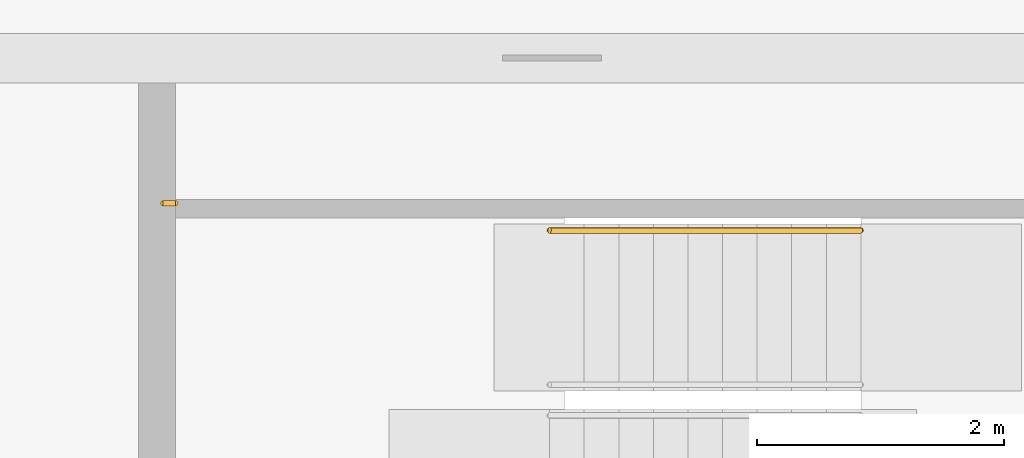
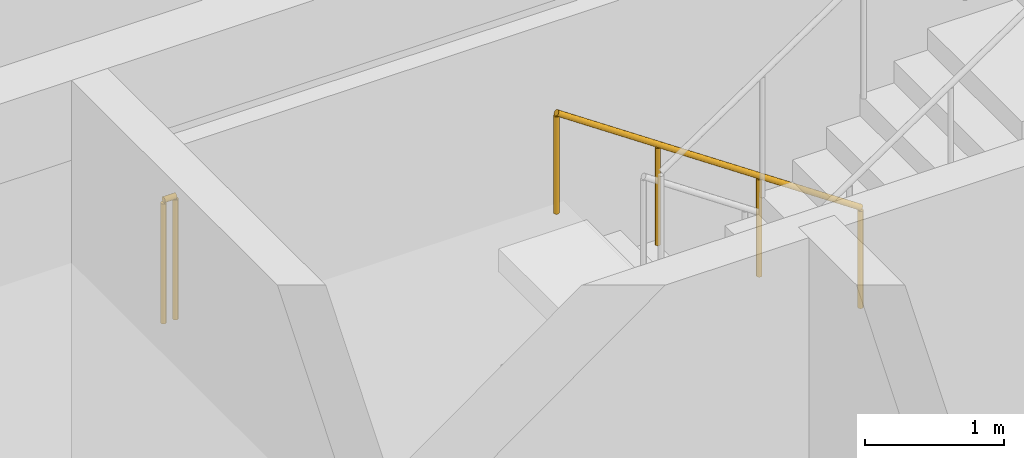
# One storey, part 12 of 13: 2 railings.
"""IFC4 building model written with IfcOpenShell, lengths in metres."""

from ifc_helpers import new_model, si_unit, direction, frame, origin, origin_2d, place, context, subcontext, project, spatial, circle, extrude, material, type_object, element, save


model = new_model("IFC4")

# Units and contexts
model_context = context("Model", 3, precision=1e-05, world=origin(), true_north=direction((0.0, 1.0)))
body_context = subcontext(model_context, "Body", "Model", "MODEL_VIEW")
ifc_project = project(units=[si_unit("LENGTHUNIT", "METRE"), si_unit("AREAUNIT", "SQUARE_METRE"), si_unit("VOLUMEUNIT", "CUBIC_METRE"), si_unit("PLANEANGLEUNIT", "RADIAN"), si_unit("MASSUNIT", "GRAM", prefix="KILO")], contexts=[model_context])

# Site, building, storey
site_placement = place(None, origin())
site = spatial("IfcSite", under=ifc_project, at=site_placement, CompositionType="ELEMENT")
building_placement = place(site_placement, origin())
building = spatial("IfcBuilding", under=site, at=building_placement, Name="Windrow Commons", CompositionType="ELEMENT")
storey_placement = place(building_placement, frame((0.0, 0.0, 294.4)))
storey = spatial("IfcBuildingStorey", under=building, at=storey_placement, Name="L80", CompositionType="ELEMENT", Elevation=294.4)

# Railings
ifc_material_1 = material(Name="Steel S355", Category="steel")
railing_type_1 = type_object("IfcRailingType", Name="Core stair guard 1100", PredefinedType="GUARDRAIL", material=ifc_material_1)
railing_1_placement = place(storey_placement, frame((64.95, 63.825, 1.9)))
element("IfcRailing", 1, at=railing_1_placement, inside=storey, type_object=railing_type_1, Name="L80 ST-A2 stair guard 3", PredefinedType="GUARDRAIL", context=body_context, shape_type="SweptSolid", body=[
    extrude(circle(Radius=0.024, at=origin_2d()), frame((0.0, 0.0, 1.076), z_axis=(-1.0, 0.0, 0.0), x_axis=(0.0, -1.0, 0.0)), (0.0, 0.0, 1.0), 0.1),
    extrude(circle(Radius=0.021, at=origin_2d()), origin(), (0.0, 0.0, 1.0), 1.052),
    extrude(circle(Radius=0.021, at=origin_2d()), frame((-0.1, 0.0, 0.0)), (0.0, 0.0, 1.0), 1.052),
])
ifc_material_2 = material(Name="Steel S355", Category="steel")
railing_type_2 = type_object("IfcRailingType", Name="Core stair handrail 900", PredefinedType="HANDRAIL", material=ifc_material_2)
railing_2_placement = place(storey_placement, frame((70.5, 63.605, 0.19)))
element("IfcRailing", 2, at=railing_2_placement, inside=storey, type_object=railing_type_2, Name="L80 ST-A2 stair handrail 1", PredefinedType="HANDRAIL", context=body_context, shape_type="SweptSolid", body=[
    extrude(circle(Radius=0.024, at=origin_2d()), frame((0.0, 0.0, 0.876), z_axis=(-0.8274757744, 0.0, 0.5615014183), x_axis=(0.0, -1.0, 0.0)), (0.0, 0.0, 1.0), 3.0454),
    extrude(circle(Radius=0.021, at=origin_2d()), origin(), (0.0, 0.0, 1.0), 0.852),
    extrude(circle(Radius=0.021, at=origin_2d()), frame((-0.84, 0.0, 0.57)), (0.0, 0.0, 1.0), 0.852),
    extrude(circle(Radius=0.021, at=origin_2d()), frame((-1.68, 0.0, 1.14)), (0.0, 0.0, 1.0), 0.852),
    extrude(circle(Radius=0.021, at=origin_2d()), frame((-2.52, 0.0, 1.71)), (0.0, 0.0, 1.0), 0.852),
])

save(model, "model.ifc")
